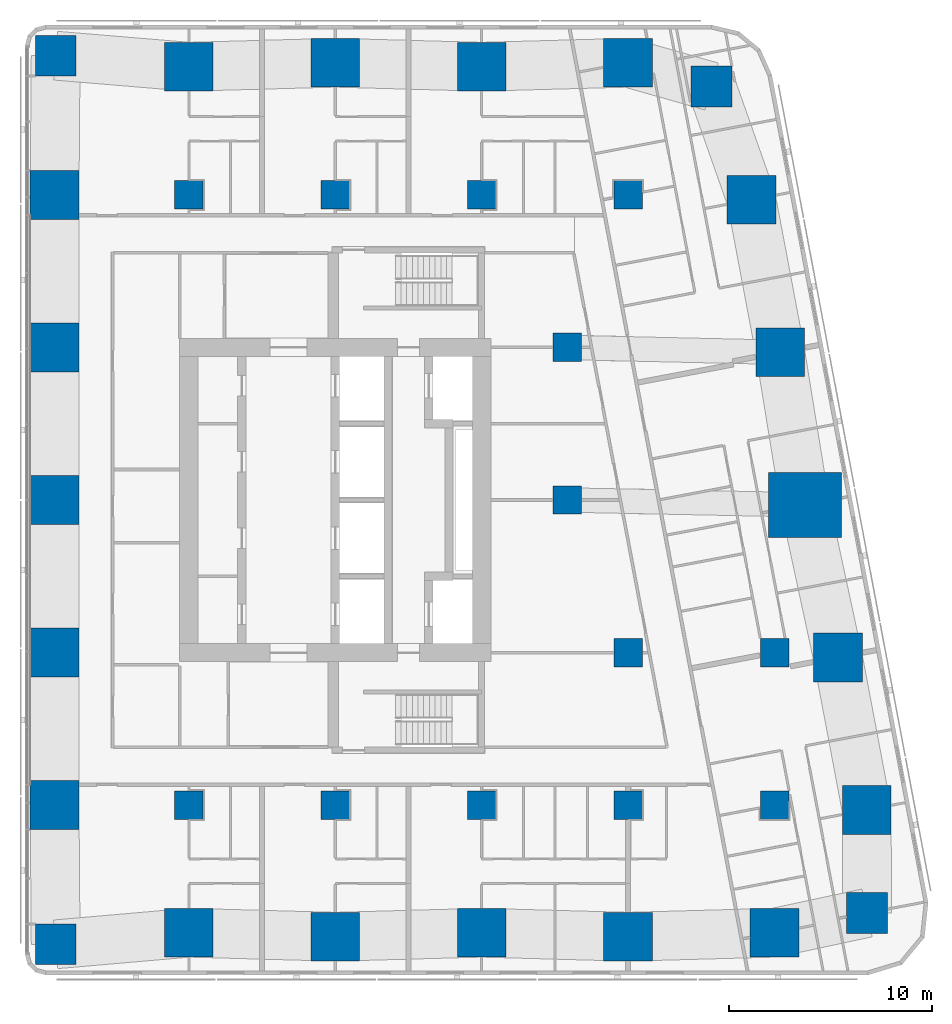
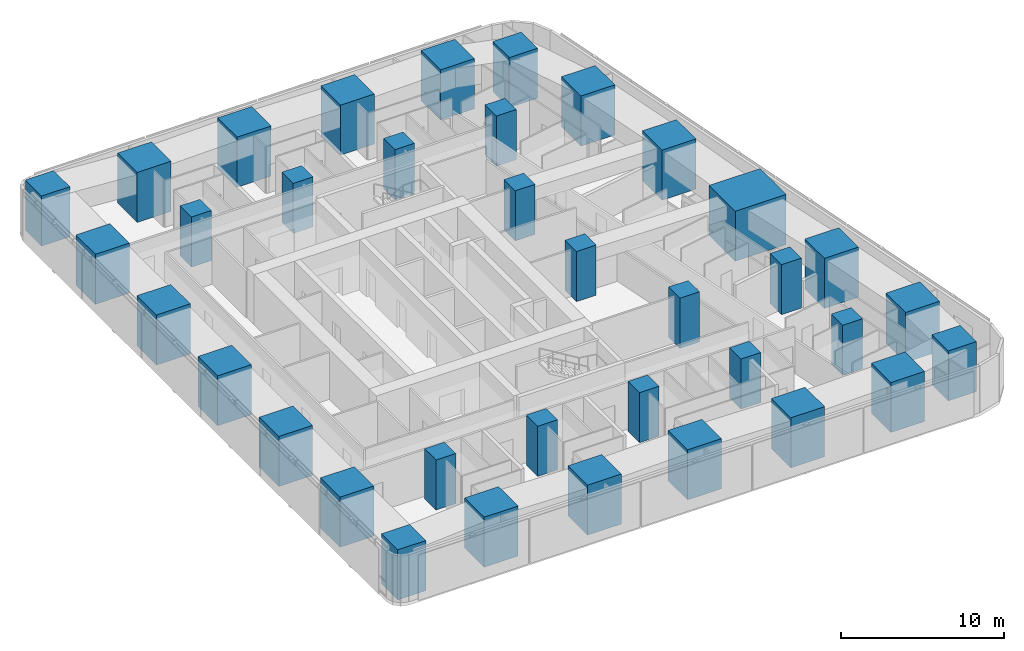
# One storey, part 1 of 17: 36 columns.
"""IFC4 building model written with IfcOpenShell, lengths in metres."""

from ifc_helpers import new_model, si_unit, direction, frame, origin, origin_2d, place, context, subcontext, project, spatial, rectangle, extrude, material, material_profile, profile_set, type_object, element, save


model = new_model("IFC4")

# Units and contexts
model_context = context("Model", 3, precision=1e-05, world=origin(), true_north=direction((0.0, 1.0)))
body_context = subcontext(model_context, "Body", "Model", "MODEL_VIEW")
ifc_project = project(units=[si_unit("LENGTHUNIT", "METRE"), si_unit("AREAUNIT", "SQUARE_METRE"), si_unit("VOLUMEUNIT", "CUBIC_METRE"), si_unit("PLANEANGLEUNIT", "RADIAN"), si_unit("MASSUNIT", "GRAM", prefix="KILO")], contexts=[model_context])

# Site, building, storey
site_placement = place(None, origin())
site = spatial("IfcSite", under=ifc_project, at=site_placement, CompositionType="ELEMENT")
building_placement = place(site_placement, origin())
building = spatial("IfcBuilding", under=site, at=building_placement, Name="Sheger Commons Tower", CompositionType="ELEMENT")
storey_placement = place(building_placement, frame((0.0, 0.0, 208.699951171875)))
storey = spatial("IfcBuildingStorey", under=building, at=storey_placement, Name="L53", CompositionType="ELEMENT", Elevation=208.699951171875)

# Columns
ifc_material_1 = material(Name="Concrete C50/60", Category="concrete")
ifc_material_profile_1 = material_profile(ifc_material_1, rectangle(XDim=3.60009765625, YDim=3.199951171875, at=origin_2d()), Name="RC 3600x3200")
ifc_profile_set_1 = profile_set([ifc_material_profile_1], Name="Concrete C50/60")
column_type_1 = type_object("IfcColumnType", Name="COLUMN PIER RC 3600x3200", PredefinedType="COLUMN", material=ifc_profile_set_1)
column_placement = place(storey_placement, frame((44.697021484375, 22.262939453125, 0.0), z_axis=(0.0, 0.0, 1.0), x_axis=(1.0, 0.0, 0.0)))
element("IfcColumn", 1, at=column_placement, inside=storey, type_object=column_type_1, Name="Pier 7/D+E/D L53", PredefinedType="COLUMN", context=body_context, shape_type="SweptSolid", body=[
    extrude(rectangle(XDim=3.60009765625, YDim=3.199951171875, at=origin_2d()), origin(), (0.0, 0.0, 1.0), 3.75),
])
ifc_material_2 = material(Name="Concrete C50/60", Category="concrete")
ifc_material_profile_2 = material_profile(ifc_material_2, rectangle(XDim=1.39990234375, YDim=1.39990234375, at=origin_2d()), Name="RC 1400x1400")
ifc_profile_set_2 = profile_set([ifc_material_profile_2], Name="Concrete C50/60")
column_type_2 = type_object("IfcColumnType", Name="COLUMN RC 1400x1400", PredefinedType="COLUMN", material=ifc_profile_set_2)
for number, where, z_axis, x_axis, name in (
    (2, (14.39990234375, 7.5, 0.0), (0.0, 0.0, 1.0), (1.0, 0.0, 0.0), "Column 3/B L53"),
    (3, (21.60009765625, 7.5, 0.0), (0.0, 0.0, 1.0), (1.0, 0.0, 0.0), "Column 4/B L53"),
    (4, (28.800048828125, 7.5, 0.0), (0.0, 0.0, 1.0), (1.0, 0.0, 0.0), "Column 5/B L53"),
    (5, (36.0, 7.5, 0.0), (0.0, 0.0, 1.0), (1.0, 0.0, 0.0), "Column 6/B L53"),
    (6, (43.199951171875, 7.5, 0.0), (0.0, 0.0, 1.0), (1.0, 0.0, 0.0), "Column 7/B L53"),
    (7, (36.0, 15.0, 0.0), (0.0, 0.0, 1.0), (1.0, 0.0, 0.0), "Column 6/C L53"),
    (8, (43.199951171875, 15.0, 0.0), (0.0, 0.0, 1.0), (1.0, 0.0, 0.0), "Column 7/C L53"),
    (9, (33.0, 22.5, 0.0), (0.0, 0.0, 1.0), (1.0, 0.0, 0.0), "Column 6-3000/D L53"),
    (10, (33.0, 30.0, 0.0), (0.0, 0.0, 1.0), (1.0, 0.0, 0.0), "Column 6-3000/E L53"),
    (11, (14.39990234375, 37.5, 0.0), (0.0, 0.0, 1.0), (1.0, 0.0, 0.0), "Column 3/F L53"),
    (12, (21.60009765625, 37.5, 0.0), (0.0, 0.0, 1.0), (1.0, 0.0, 0.0), "Column 4/F L53"),
    (13, (28.800048828125, 37.5, 0.0), (0.0, 0.0, 1.0), (1.0, 0.0, 0.0), "Column 5/F L53"),
    (14, (36.0, 37.5, 0.0), (0.0, 0.0, 1.0), (1.0, 0.0, 0.0), "Column 6/F L53"),
):
    element("IfcColumn", number, at=place(storey_placement, frame(where, z_axis=z_axis, x_axis=x_axis)), inside=storey, type_object=column_type_2, Name=name, PredefinedType="COLUMN", context=body_context, shape_type="SweptSolid", body=[
        extrude(rectangle(XDim=1.39990234375, YDim=1.39990234375, at=origin_2d()), origin(), (0.0, 0.0, 1.0), 3.75),
    ])
ifc_material_3 = material(Name="Concrete C50/60", Category="concrete")
ifc_material_profile_3 = material_profile(ifc_material_3, rectangle(XDim=2.0, YDim=2.0, at=origin_2d()), Name="RC 2000x2000")
ifc_profile_set_3 = profile_set([ifc_material_profile_3], Name="Concrete C50/60")
column_type_3 = type_object("IfcColumnType", Name="COLUMN RC 2000x2000", PredefinedType="COLUMN", material=ifc_profile_set_3)
for number, where, z_axis, x_axis, name in (
    (15, (7.85400390625, 0.654052734375, 0.0), (0.0, 0.0, 1.0), (1.0, 0.0, 0.0), "Column 2/A L53"),
    (16, (47.748046875, 2.197021484375, 0.0), (0.0, 0.0, 1.0), (1.0, 0.0, 0.0), "Column 49.461,0.778 L53"),
    (17, (40.10205078125, 42.830078125, 0.0), (0.0, 0.0, 1.0), (1.0, 0.0, 0.0), "Column 41.490,44.505 L53"),
    (18, (7.85400390625, 44.345947265625, 0.0), (0.0, 0.0, 1.0), (1.0, 0.0, 0.0), "Column 2/G L53"),
):
    element("IfcColumn", number, at=place(storey_placement, frame(where, z_axis=z_axis, x_axis=x_axis)), inside=storey, type_object=column_type_3, Name=name, PredefinedType="COLUMN", context=body_context, shape_type="SweptSolid", body=[
        extrude(rectangle(XDim=2.0, YDim=2.0, at=origin_2d()), origin(), (0.0, 0.0, 1.0), 3.75),
    ])
ifc_material_4 = material(Name="Concrete C50/60", Category="concrete")
ifc_material_profile_4 = material_profile(ifc_material_4, rectangle(XDim=2.39990234375, YDim=2.39990234375, at=origin_2d()), Name="RC 2400x2400")
ifc_profile_set_4 = profile_set([ifc_material_profile_4], Name="Concrete C50/60")
column_type_4 = type_object("IfcColumnType", Name="COLUMN RC 2400x2400", PredefinedType="COLUMN", material=ifc_profile_set_4)
for number, where, z_axis, x_axis, name in (
    (19, (14.39990234375, 1.22509765625, 0.0), (0.0, 0.0, 1.0), (1.0, 0.0, 0.0), "Column 3/A L53"),
    (20, (21.60009765625, 1.02490234375, 0.0), (0.0, 0.0, 1.0), (1.0, 0.0, 0.0), "Column 4/A L53"),
    (21, (28.800048828125, 1.22509765625, 0.0), (0.0, 0.0, 1.0), (1.0, 0.0, 0.0), "Column 5/A L53"),
    (22, (36.0, 1.02490234375, 0.0), (0.0, 0.0, 1.0), (1.0, 0.0, 0.0), "Column 6/A L53"),
    (23, (43.199951171875, 1.22509765625, 0.0), (0.0, 0.0, 1.0), (1.0, 0.0, 0.0), "Column 7/A L53"),
    (24, (7.800048828125, 7.5, 0.0), (0.0, 0.0, 1.0), (1.0, 0.0, 0.0), "Column 2/B L53"),
    (25, (47.72998046875, 7.262939453125, 0.0), (0.0, 0.0, 1.0), (1.0, 0.0, 0.0), "Column E/B L53"),
    (26, (7.800048828125, 15.0, 0.0), (0.0, 0.0, 1.0), (1.0, 0.0, 0.0), "Column 2/C L53"),
    (27, (46.31396484375, 14.762939453125, 0.0), (0.0, 0.0, 1.0), (1.0, 0.0, 0.0), "Column E/C L53"),
    (28, (7.800048828125, 22.5, 0.0), (0.0, 0.0, 1.0), (1.0, 0.0, 0.0), "Column 2/D L53"),
    (29, (7.800048828125, 30.0, 0.0), (0.0, 0.0, 1.0), (1.0, 0.0, 0.0), "Column 2/E L53"),
    (30, (43.47998046875, 29.762939453125, 0.0), (0.0, 0.0, 1.0), (1.0, 0.0, 0.0), "Column E/E L53"),
    (31, (7.800048828125, 37.5, 0.0), (0.0, 0.0, 1.0), (1.0, 0.0, 0.0), "Column 2/F L53"),
    (32, (42.06396484375, 37.262939453125, 0.0), (0.0, 0.0, 1.0), (1.0, 0.0, 0.0), "Column E/F L53"),
    (33, (14.39990234375, 43.800048828125, 0.0), (0.0, 0.0, 1.0), (1.0, 0.0, 0.0), "Column 3/G L53"),
    (34, (21.60009765625, 44.0, 0.0), (0.0, 0.0, 1.0), (1.0, 0.0, 0.0), "Column 4/G L53"),
    (35, (28.800048828125, 43.800048828125, 0.0), (0.0, 0.0, 1.0), (1.0, 0.0, 0.0), "Column 5/G L53"),
    (36, (36.0, 44.0, 0.0), (0.0, 0.0, 1.0), (1.0, 0.0, 0.0), "Column 6/G L53"),
):
    element("IfcColumn", number, at=place(storey_placement, frame(where, z_axis=z_axis, x_axis=x_axis)), inside=storey, type_object=column_type_4, Name=name, PredefinedType="COLUMN", context=body_context, shape_type="SweptSolid", body=[
        extrude(rectangle(XDim=2.39990234375, YDim=2.39990234375, at=origin_2d()), origin(), (0.0, 0.0, 1.0), 3.75),
    ])

save(model, "model.ifc")
